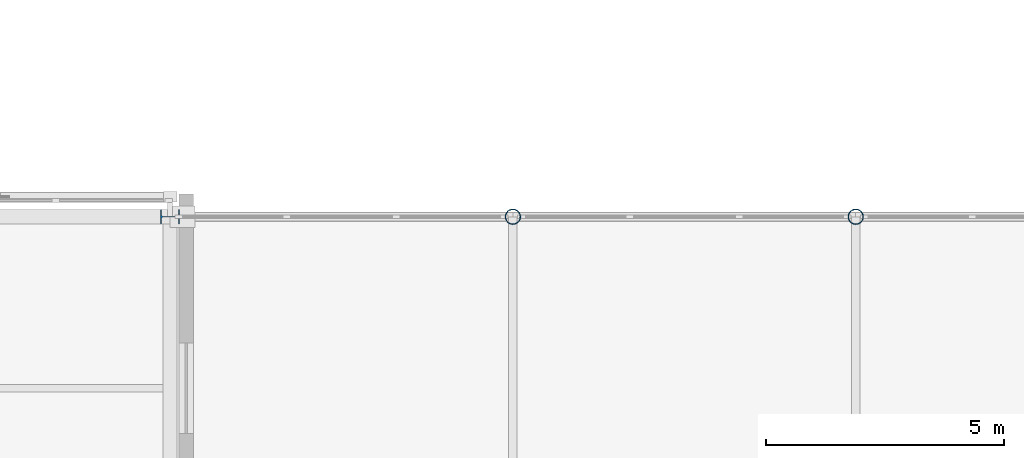
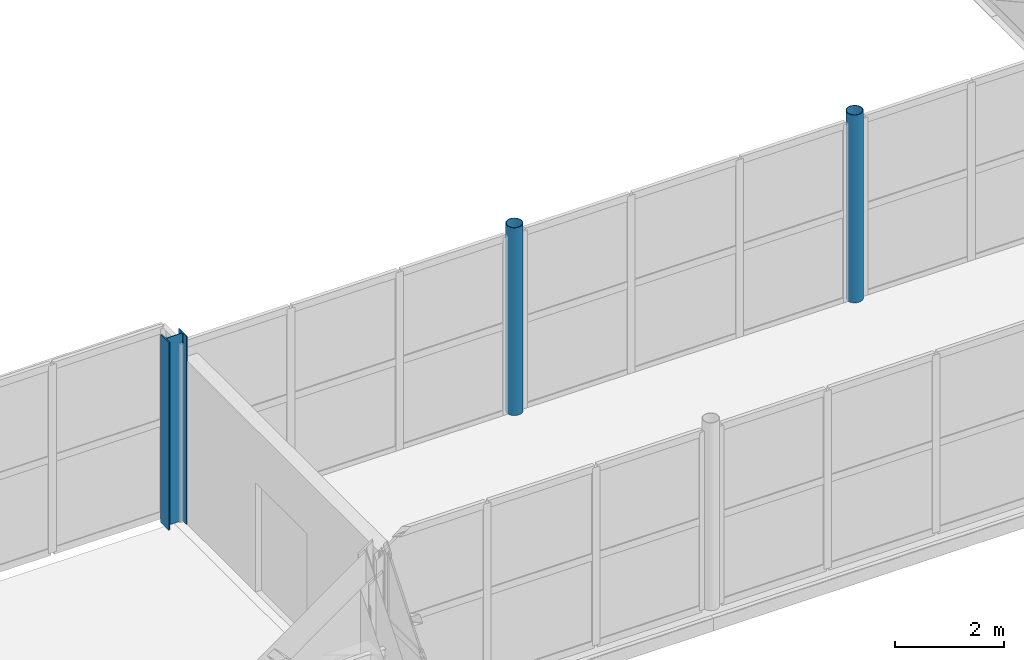
# One storey, part 11 of 146: 3 columns.
"""IFC4 building model written with IfcOpenShell, lengths in metres."""

from ifc_helpers import new_model, si_unit, direction, frame, origin, origin_2d, place, context, subcontext, project, spatial, hollow_circle, i_section, extrude, material, material_profile, profile_set, type_object, element, save


model = new_model("IFC4")

# Units and contexts
model_context = context("Model", 3, precision=1e-05, world=origin(), true_north=direction((0.0, 1.0)))
body_context = subcontext(model_context, "Body", "Model", "MODEL_VIEW")
ifc_project = project(units=[si_unit("LENGTHUNIT", "METRE"), si_unit("AREAUNIT", "SQUARE_METRE"), si_unit("VOLUMEUNIT", "CUBIC_METRE"), si_unit("PLANEANGLEUNIT", "RADIAN"), si_unit("MASSUNIT", "GRAM", prefix="KILO")], contexts=[model_context])

# Site, building, storey
site_placement = place(None, origin())
site = spatial("IfcSite", under=ifc_project, at=site_placement, CompositionType="ELEMENT")
building_placement = place(site_placement, origin())
building = spatial("IfcBuilding", under=site, at=building_placement, Name="Zlatovets Crest Museum", CompositionType="ELEMENT")
storey_placement = place(building_placement, frame((0.0, 0.0, 4.5)))
storey = spatial("IfcBuildingStorey", under=building, at=storey_placement, Name="L01", CompositionType="ELEMENT", Elevation=4.5)

# Columns
ifc_material = material(Name="Structural steel S355J2", Category="steel")
ifc_material_profile_1 = material_profile(ifc_material, i_section(OverallWidth=0.300048828125, OverallDepth=0.39990234375, WebThickness=0.013427734375, FlangeThickness=0.02392578125, FilletRadius=0.027099609375, at=origin_2d()), Name="HEB 400")
ifc_profile_set_1 = profile_set([ifc_material_profile_1], Name="Structural steel S355J2")
column_type_1 = type_object("IfcColumnType", Name="Col_C-07", PredefinedType="COLUMN", material=ifc_profile_set_1)
column_placement = place(storey_placement, frame((108.0, 28.800048828125, 0.0), z_axis=(0.0, 0.0, 1.0), x_axis=(0.0, 1.0, 0.0)))
element("IfcColumn", 1, at=column_placement, inside=storey, type_object=column_type_1, Name="V2 L01 Column (108.0, 28.8)", PredefinedType="COLUMN", context=body_context, shape_type="SweptSolid", body=[
    extrude(i_section(OverallWidth=0.300048828125, OverallDepth=0.39990234375, WebThickness=0.013427734375, FlangeThickness=0.02392578125, FilletRadius=0.027099609375, at=origin_2d()), origin(), (0.0, 0.0, 1.0), 4.199951171875),
])
ifc_material_profile_2 = material_profile(ifc_material, hollow_circle(Radius=0.161865234375, WallThickness=0.012451171875, at=origin_2d()), Name="CHS 323.9x12.5")
ifc_profile_set_2 = profile_set([ifc_material_profile_2], Name="Structural steel S355J2")
column_type_2 = type_object("IfcColumnType", Name="Col_C-13", PredefinedType="COLUMN", material=ifc_profile_set_2)
for number, where, z_axis, x_axis, name in (
    (2, (115.199951171875, 28.800048828125, 0.0), (0.0, 0.0, 1.0), (1.0, 0.0, 0.0), "Southeast Archive Glazed Link Bridge Portal Column"),
    (3, (122.39990234375, 28.800048828125, 0.0), (0.0, 0.0, 1.0), (1.0, 0.0, 0.0), "Southeast Archive Glazed Link Bridge Portal Column"),
):
    element("IfcColumn", number, at=place(storey_placement, frame(where, z_axis=z_axis, x_axis=x_axis)), inside=storey, type_object=column_type_2, Name=name, PredefinedType="COLUMN", context=body_context, shape_type="SweptSolid", body=[
        extrude(hollow_circle(Radius=0.161865234375, WallThickness=0.012451171875, at=origin_2d()), origin(), (0.0, 0.0, 1.0), 4.199951171875),
    ])

save(model, "model.ifc")
